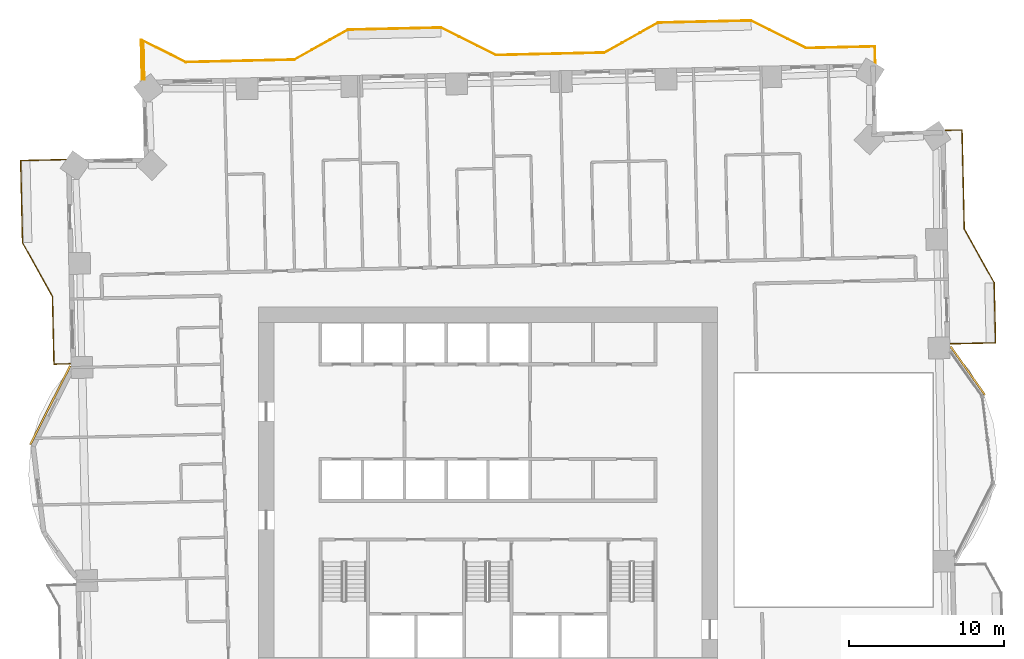
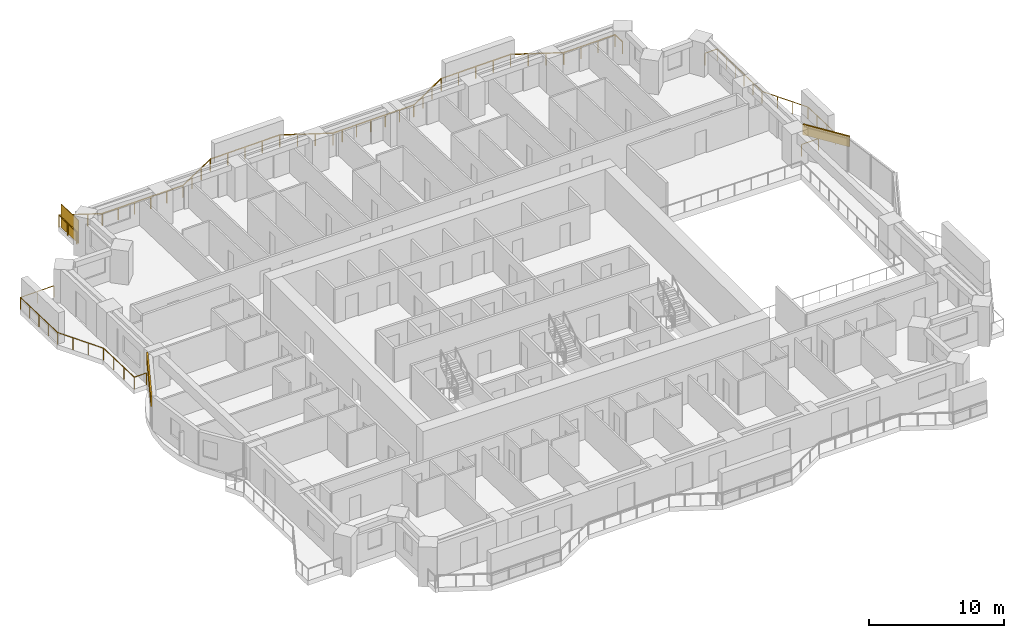
# One storey, part 17 of 17: 3 railings, 2 coverings, 1 shading device.
"""IFC4 building model written with IfcOpenShell, lengths in metres."""

from ifc_helpers import new_model, si_unit, direction, frame, frame_2d, origin, origin_2d, place, context, subcontext, project, spatial, rectangle, extrude, material, layer, layer_set, type_object, element, save


model = new_model("IFC4")

# Units and contexts
model_context = context("Model", 3, precision=1e-05, world=origin(), true_north=direction((0.0, 1.0)))
body_context = subcontext(model_context, "Body", "Model", "MODEL_VIEW")
ifc_project = project(units=[si_unit("LENGTHUNIT", "METRE"), si_unit("AREAUNIT", "SQUARE_METRE"), si_unit("VOLUMEUNIT", "CUBIC_METRE"), si_unit("PLANEANGLEUNIT", "RADIAN"), si_unit("MASSUNIT", "GRAM", prefix="KILO")], contexts=[model_context])

# Site, building, storey
site_placement = place(None, origin())
site = spatial("IfcSite", under=ifc_project, at=site_placement, CompositionType="ELEMENT")
building_placement = place(site_placement, origin())
building = spatial("IfcBuilding", under=site, at=building_placement, Name="Mangrove Gate Tower", CompositionType="ELEMENT")
storey_placement = place(building_placement, frame((0.0, 0.0, 93.699951171875)))
storey = spatial("IfcBuildingStorey", under=building, at=storey_placement, Name="L23", CompositionType="ELEMENT", Elevation=93.699951171875)

# Railings
ifc_material_1 = material(Name="Stainless steel grade 316 with laminated glass infill", Category="steel")
railing_type = type_object("IfcRailingType", Name="Balcony guard 1100", PredefinedType="GUARDRAIL", material=ifc_material_1)
railing_1_placement = place(storey_placement, frame((29.806884765625, 9.4169921875, 0.0)))
element("IfcRailing", 1, at=railing_1_placement, inside=storey, type_object=railing_type, Name="GUARD L23 E2", PredefinedType="GUARDRAIL", context=body_context, shape_type="SweptSolid", body=[
    extrude(rectangle(XDim=0.048095703125, YDim=0.048095703125, at=origin_2d()), frame((0.0, 0.0, 1.076171875), z_axis=(0.999743392495, 0.022652795902, 0.0), x_axis=(-0.022652795902, 0.999743392495, 0.0)), (0.0, 0.0, 1.0), 2.909912109375),
    extrude(rectangle(XDim=0.048095703125, YDim=0.048095703125, at=origin_2d()), frame((2.9091796875, 0.06591796875, 1.076171875), z_axis=(-0.022744303924, 0.999741314861, 0.0), x_axis=(-0.999741314861, -0.022744303924, 0.0)), (0.0, 0.0, 1.0), 3.875),
    extrude(rectangle(XDim=0.048095703125, YDim=0.048095703125, at=origin_2d()), frame((2.821044921875, 3.93994140625, 1.076171875), z_axis=(-0.48726008209, 0.87325689943, 0.0), x_axis=(-0.87325689943, -0.48726008209, 0.0)), (0.0, 0.0, 1.0), 3.958740234375),
    extrude(rectangle(XDim=0.048095703125, YDim=0.048095703125, at=origin_2d()), frame((0.89208984375, 7.39697265625, 1.076171875), z_axis=(-0.022660744415, 0.999743212361, 0.0), x_axis=(-0.999743212361, -0.022660744415, 0.0)), (0.0, 0.0, 1.0), 6.399658203125),
    extrude(rectangle(XDim=0.048095703125, YDim=0.048095703125, at=origin_2d()), frame((0.7470703125, 13.794921875, 1.076171875), z_axis=(-0.999744802133, -0.022590498181, 0.0), x_axis=(0.022590498181, -0.999744802133, 0.0)), (0.0, 0.0, 1.0), 1.05908203125),
    extrude(rectangle(XDim=0.0419921875, YDim=0.0419921875, at=origin_2d()), origin(), (0.0, 0.0, 1.0), 1.052001953125),
    extrude(rectangle(XDim=0.0419921875, YDim=0.0419921875, at=origin_2d()), frame((1.45458984375, 0.032958984375, 0.0)), (0.0, 0.0, 1.0), 1.052001953125),
    extrude(rectangle(XDim=0.0419921875, YDim=0.0419921875, at=origin_2d()), frame((2.9091796875, 0.06591796875, 0.0)), (0.0, 0.0, 1.0), 1.052001953125),
    extrude(rectangle(XDim=0.0419921875, YDim=0.0419921875, at=origin_2d()), frame((2.8798828125, 1.357177734375, 0.0)), (0.0, 0.0, 1.0), 1.052001953125),
    extrude(rectangle(XDim=0.0419921875, YDim=0.0419921875, at=origin_2d()), frame((2.850341796875, 2.648681640625, 0.0)), (0.0, 0.0, 1.0), 1.052001953125),
    extrude(rectangle(XDim=0.0419921875, YDim=0.0419921875, at=origin_2d()), frame((2.821044921875, 3.93994140625, 0.0)), (0.0, 0.0, 1.0), 1.052001953125),
    extrude(rectangle(XDim=0.0419921875, YDim=0.0419921875, at=origin_2d()), frame((2.177978515625, 5.09228515625, 0.0)), (0.0, 0.0, 1.0), 1.052001953125),
    extrude(rectangle(XDim=0.0419921875, YDim=0.0419921875, at=origin_2d()), frame((1.53515625, 6.24462890625, 0.0)), (0.0, 0.0, 1.0), 1.052001953125),
    extrude(rectangle(XDim=0.0419921875, YDim=0.0419921875, at=origin_2d()), frame((0.89208984375, 7.39697265625, 0.0)), (0.0, 0.0, 1.0), 1.052001953125),
    extrude(rectangle(XDim=0.0419921875, YDim=0.0419921875, at=origin_2d()), frame((0.863037109375, 8.676513671875, 0.0)), (0.0, 0.0, 1.0), 1.052001953125),
    extrude(rectangle(XDim=0.0419921875, YDim=0.0419921875, at=origin_2d()), frame((0.833984375, 9.9560546875, 0.0)), (0.0, 0.0, 1.0), 1.052001953125),
    extrude(rectangle(XDim=0.0419921875, YDim=0.0419921875, at=origin_2d()), frame((0.80517578125, 11.23583984375, 0.0)), (0.0, 0.0, 1.0), 1.052001953125),
    extrude(rectangle(XDim=0.0419921875, YDim=0.0419921875, at=origin_2d()), frame((0.776123046875, 12.515380859375, 0.0)), (0.0, 0.0, 1.0), 1.052001953125),
    extrude(rectangle(XDim=0.0419921875, YDim=0.0419921875, at=origin_2d()), frame((0.7470703125, 13.794921875, 0.0)), (0.0, 0.0, 1.0), 1.052001953125),
    extrude(rectangle(XDim=0.0419921875, YDim=0.0419921875, at=origin_2d()), frame((-0.311767578125, 13.77099609375, 0.0)), (0.0, 0.0, 1.0), 1.052001953125),
])
railing_2_placement = place(storey_placement, frame((24.955078125, 27.527099609375, 0.0)))
element("IfcRailing", 2, at=railing_2_placement, inside=storey, type_object=railing_type, Name="GUARD L23 N1", PredefinedType="GUARDRAIL", context=body_context, shape_type="SweptSolid", body=[
    extrude(rectangle(XDim=0.048095703125, YDim=0.048095703125, at=origin_2d()), frame((0.0, 0.0, 1.076171875), z_axis=(-0.022820894023, 0.999739569486, 0.0), x_axis=(-0.999739569486, -0.022820894023, 0.0)), (0.0, 0.0, 1.0), 1.05908203125),
    extrude(rectangle(XDim=0.048095703125, YDim=0.048095703125, at=origin_2d()), frame((-0.024169921875, 1.058837890625, 1.076171875), z_axis=(-0.999746615103, -0.02251012197, 0.0), x_axis=(0.02251012197, -0.999746615103, 0.0)), (0.0, 0.0, 1.0), 4.43603515625),
    extrude(rectangle(XDim=0.048095703125, YDim=0.048095703125, at=origin_2d()), frame((-4.458984375, 0.958984375, 1.076171875), z_axis=(-0.894476522376, 0.447114919141, 0.0), x_axis=(-0.447114919141, -0.894476522376, 0.0)), (0.0, 0.0, 1.0), 3.958740234375),
    extrude(rectangle(XDim=0.048095703125, YDim=0.048095703125, at=origin_2d()), frame((-8.0, 2.72900390625, 1.076171875), z_axis=(-0.999743094499, -0.022665943652, 0.0), x_axis=(0.022665943652, -0.999743094499, 0.0)), (0.0, 0.0, 1.0), 5.99951171875),
    extrude(rectangle(XDim=0.048095703125, YDim=0.048095703125, at=origin_2d()), frame((-13.998046875, 2.593017578125, 1.076171875), z_axis=(-0.873289216505, -0.487202159618, 0.0), x_axis=(0.487202159618, -0.873289216505, 0.0)), (0.0, 0.0, 1.0), 3.959716796875),
    extrude(rectangle(XDim=0.048095703125, YDim=0.048095703125, at=origin_2d()), frame((-17.4560546875, 0.663818359375, 1.076171875), z_axis=(-0.999741815214, -0.022722299893, 0.0), x_axis=(0.022722299893, -0.999741815214, 0.0)), (0.0, 0.0, 1.0), 6.19970703125),
    extrude(rectangle(XDim=0.048095703125, YDim=0.048095703125, at=origin_2d()), frame((-23.654052734375, 0.52294921875, 1.076171875), z_axis=(-0.999745132473, -0.022575874215, 0.0), x_axis=(0.022575874215, -0.999745132473, 0.0)), (0.0, 0.0, 1.0), 0.80029296875),
    extrude(rectangle(XDim=0.048095703125, YDim=0.048095703125, at=origin_2d()), frame((-24.4541015625, 0.5048828125, 1.076171875), z_axis=(-0.894476522376, 0.447114919141, 0.0), x_axis=(-0.447114919141, -0.894476522376, 0.0)), (0.0, 0.0, 1.0), 3.958740234375),
    extrude(rectangle(XDim=0.048095703125, YDim=0.048095703125, at=origin_2d()), frame((-27.9951171875, 2.27490234375, 1.076171875), z_axis=(-0.999743094499, -0.022665943652, 0.0), x_axis=(0.022665943652, -0.999743094499, 0.0)), (0.0, 0.0, 1.0), 5.99951171875),
    extrude(rectangle(XDim=0.048095703125, YDim=0.048095703125, at=origin_2d()), frame((-33.9931640625, 2.138916015625, 1.076171875), z_axis=(-0.87325689943, -0.48726008209, 0.0), x_axis=(0.48726008209, -0.87325689943, 0.0)), (0.0, 0.0, 1.0), 3.958740234375),
    extrude(rectangle(XDim=0.048095703125, YDim=0.048095703125, at=origin_2d()), frame((-37.4501953125, 0.2099609375, 1.076171875), z_axis=(-0.999741457317, -0.022738041308, 0.0), x_axis=(0.022738041308, -0.999741457317, 0.0)), (0.0, 0.0, 1.0), 7.00048828125),
    extrude(rectangle(XDim=0.048095703125, YDim=0.048095703125, at=origin_2d()), frame((-44.448974609375, 0.05078125, 1.076171875), z_axis=(-0.89448807366, 0.447091809452, 0.0), x_axis=(-0.447091809452, -0.89448807366, 0.0)), (0.0, 0.0, 1.0), 3.20751953125),
    extrude(rectangle(XDim=0.048095703125, YDim=0.048095703125, at=origin_2d()), frame((-47.318115234375, 1.48486328125, 1.076171875), z_axis=(0.022710567478, -0.999742081802, 0.0), x_axis=(0.999742081802, 0.022710567478, 0.0)), (0.0, 0.0, 1.0), 2.55859375),
    extrude(rectangle(XDim=0.0419921875, YDim=0.0419921875, at=origin_2d()), origin(), (0.0, 0.0, 1.0), 1.052001953125),
    extrude(rectangle(XDim=0.0419921875, YDim=0.0419921875, at=origin_2d()), frame((-0.024169921875, 1.058837890625, 0.0)), (0.0, 0.0, 1.0), 1.052001953125),
    extrude(rectangle(XDim=0.0419921875, YDim=0.0419921875, at=origin_2d()), frame((-1.50244140625, 1.025634765625, 0.0)), (0.0, 0.0, 1.0), 1.052001953125),
    extrude(rectangle(XDim=0.0419921875, YDim=0.0419921875, at=origin_2d()), frame((-2.980712890625, 0.9921875, 0.0)), (0.0, 0.0, 1.0), 1.052001953125),
    extrude(rectangle(XDim=0.0419921875, YDim=0.0419921875, at=origin_2d()), frame((-4.458984375, 0.958984375, 0.0)), (0.0, 0.0, 1.0), 1.052001953125),
    extrude(rectangle(XDim=0.0419921875, YDim=0.0419921875, at=origin_2d()), frame((-5.639404296875, 1.549072265625, 0.0)), (0.0, 0.0, 1.0), 1.052001953125),
    extrude(rectangle(XDim=0.0419921875, YDim=0.0419921875, at=origin_2d()), frame((-6.819580078125, 2.138916015625, 0.0)), (0.0, 0.0, 1.0), 1.052001953125),
    extrude(rectangle(XDim=0.0419921875, YDim=0.0419921875, at=origin_2d()), frame((-8.0, 2.72900390625, 0.0)), (0.0, 0.0, 1.0), 1.052001953125),
    extrude(rectangle(XDim=0.0419921875, YDim=0.0419921875, at=origin_2d()), frame((-9.49951171875, 2.695068359375, 0.0)), (0.0, 0.0, 1.0), 1.052001953125),
    extrude(rectangle(XDim=0.0419921875, YDim=0.0419921875, at=origin_2d()), frame((-10.9990234375, 2.6611328125, 0.0)), (0.0, 0.0, 1.0), 1.052001953125),
    extrude(rectangle(XDim=0.0419921875, YDim=0.0419921875, at=origin_2d()), frame((-12.49853515625, 2.626953125, 0.0)), (0.0, 0.0, 1.0), 1.052001953125),
    extrude(rectangle(XDim=0.0419921875, YDim=0.0419921875, at=origin_2d()), frame((-13.998046875, 2.593017578125, 0.0)), (0.0, 0.0, 1.0), 1.052001953125),
    extrude(rectangle(XDim=0.0419921875, YDim=0.0419921875, at=origin_2d()), frame((-15.150634765625, 1.949951171875, 0.0)), (0.0, 0.0, 1.0), 1.052001953125),
    extrude(rectangle(XDim=0.0419921875, YDim=0.0419921875, at=origin_2d()), frame((-16.303466796875, 1.306884765625, 0.0)), (0.0, 0.0, 1.0), 1.052001953125),
    extrude(rectangle(XDim=0.0419921875, YDim=0.0419921875, at=origin_2d()), frame((-17.4560546875, 0.663818359375, 0.0)), (0.0, 0.0, 1.0), 1.052001953125),
    extrude(rectangle(XDim=0.0419921875, YDim=0.0419921875, at=origin_2d()), frame((-18.695556640625, 0.6357421875, 0.0)), (0.0, 0.0, 1.0), 1.052001953125),
    extrude(rectangle(XDim=0.0419921875, YDim=0.0419921875, at=origin_2d()), frame((-19.935302734375, 0.607421875, 0.0)), (0.0, 0.0, 1.0), 1.052001953125),
    extrude(rectangle(XDim=0.0419921875, YDim=0.0419921875, at=origin_2d()), frame((-21.1748046875, 0.579345703125, 0.0)), (0.0, 0.0, 1.0), 1.052001953125),
    extrude(rectangle(XDim=0.0419921875, YDim=0.0419921875, at=origin_2d()), frame((-22.41455078125, 0.551025390625, 0.0)), (0.0, 0.0, 1.0), 1.052001953125),
    extrude(rectangle(XDim=0.0419921875, YDim=0.0419921875, at=origin_2d()), frame((-23.654052734375, 0.52294921875, 0.0)), (0.0, 0.0, 1.0), 1.052001953125),
    extrude(rectangle(XDim=0.0419921875, YDim=0.0419921875, at=origin_2d()), frame((-24.4541015625, 0.5048828125, 0.0)), (0.0, 0.0, 1.0), 1.052001953125),
    extrude(rectangle(XDim=0.0419921875, YDim=0.0419921875, at=origin_2d()), frame((-25.634521484375, 1.094970703125, 0.0)), (0.0, 0.0, 1.0), 1.052001953125),
    extrude(rectangle(XDim=0.0419921875, YDim=0.0419921875, at=origin_2d()), frame((-26.814697265625, 1.684814453125, 0.0)), (0.0, 0.0, 1.0), 1.052001953125),
    extrude(rectangle(XDim=0.0419921875, YDim=0.0419921875, at=origin_2d()), frame((-27.9951171875, 2.27490234375, 0.0)), (0.0, 0.0, 1.0), 1.052001953125),
    extrude(rectangle(XDim=0.0419921875, YDim=0.0419921875, at=origin_2d()), frame((-29.49462890625, 2.240966796875, 0.0)), (0.0, 0.0, 1.0), 1.052001953125),
    extrude(rectangle(XDim=0.0419921875, YDim=0.0419921875, at=origin_2d()), frame((-30.994140625, 2.20703125, 0.0)), (0.0, 0.0, 1.0), 1.052001953125),
    extrude(rectangle(XDim=0.0419921875, YDim=0.0419921875, at=origin_2d()), frame((-32.49365234375, 2.1728515625, 0.0)), (0.0, 0.0, 1.0), 1.052001953125),
    extrude(rectangle(XDim=0.0419921875, YDim=0.0419921875, at=origin_2d()), frame((-33.9931640625, 2.138916015625, 0.0)), (0.0, 0.0, 1.0), 1.052001953125),
    extrude(rectangle(XDim=0.0419921875, YDim=0.0419921875, at=origin_2d()), frame((-35.1455078125, 1.495849609375, 0.0)), (0.0, 0.0, 1.0), 1.052001953125),
    extrude(rectangle(XDim=0.0419921875, YDim=0.0419921875, at=origin_2d()), frame((-36.2978515625, 0.85302734375, 0.0)), (0.0, 0.0, 1.0), 1.052001953125),
    extrude(rectangle(XDim=0.0419921875, YDim=0.0419921875, at=origin_2d()), frame((-37.4501953125, 0.2099609375, 0.0)), (0.0, 0.0, 1.0), 1.052001953125),
    extrude(rectangle(XDim=0.0419921875, YDim=0.0419921875, at=origin_2d()), frame((-38.849853515625, 0.17822265625, 0.0)), (0.0, 0.0, 1.0), 1.052001953125),
    extrude(rectangle(XDim=0.0419921875, YDim=0.0419921875, at=origin_2d()), frame((-40.249755859375, 0.146240234375, 0.0)), (0.0, 0.0, 1.0), 1.052001953125),
    extrude(rectangle(XDim=0.0419921875, YDim=0.0419921875, at=origin_2d()), frame((-41.6494140625, 0.114501953125, 0.0)), (0.0, 0.0, 1.0), 1.052001953125),
    extrude(rectangle(XDim=0.0419921875, YDim=0.0419921875, at=origin_2d()), frame((-43.04931640625, 0.08251953125, 0.0)), (0.0, 0.0, 1.0), 1.052001953125),
    extrude(rectangle(XDim=0.0419921875, YDim=0.0419921875, at=origin_2d()), frame((-44.448974609375, 0.05078125, 0.0)), (0.0, 0.0, 1.0), 1.052001953125),
    extrude(rectangle(XDim=0.0419921875, YDim=0.0419921875, at=origin_2d()), frame((-45.4052734375, 0.52880859375, 0.0)), (0.0, 0.0, 1.0), 1.052001953125),
    extrude(rectangle(XDim=0.0419921875, YDim=0.0419921875, at=origin_2d()), frame((-46.36181640625, 1.0068359375, 0.0)), (0.0, 0.0, 1.0), 1.052001953125),
    extrude(rectangle(XDim=0.0419921875, YDim=0.0419921875, at=origin_2d()), frame((-47.318115234375, 1.48486328125, 0.0)), (0.0, 0.0, 1.0), 1.052001953125),
    extrude(rectangle(XDim=0.0419921875, YDim=0.0419921875, at=origin_2d()), frame((-47.2890625, 0.2060546875, 0.0)), (0.0, 0.0, 1.0), 1.052001953125),
    extrude(rectangle(XDim=0.0419921875, YDim=0.0419921875, at=origin_2d()), frame((-47.260009765625, -1.072998046875, 0.0)), (0.0, 0.0, 1.0), 1.052001953125),
])
railing_3_placement = place(storey_placement, frame((-27.22900390625, 21.301025390625, 0.0)))
element("IfcRailing", 3, at=railing_3_placement, inside=storey, type_object=railing_type, Name="GUARD L23 W1", PredefinedType="GUARDRAIL", context=body_context, shape_type="SweptSolid", body=[
    extrude(rectangle(XDim=0.048095703125, YDim=0.048095703125, at=origin_2d()), frame((0.0, 0.0, 1.076171875), z_axis=(-0.999743349437, -0.022654696127, 0.0), x_axis=(0.022654696127, -0.999743349437, 0.0)), (0.0, 0.0, 1.0), 2.90966796875),
    extrude(rectangle(XDim=0.048095703125, YDim=0.048095703125, at=origin_2d()), frame((-2.908935546875, -0.06591796875, 1.076171875), z_axis=(0.022615729912, -0.999744231672, 0.0), x_axis=(0.999744231672, 0.022615729912, 0.0)), (0.0, 0.0, 1.0), 5.300537109375),
    extrude(rectangle(XDim=0.048095703125, YDim=0.048095703125, at=origin_2d()), frame((-2.7890625, -5.364990234375, 1.076171875), z_axis=(0.48726008209, -0.87325689943, 0.0), x_axis=(0.87325689943, 0.48726008209, 0.0)), (0.0, 0.0, 1.0), 3.958740234375),
    extrude(rectangle(XDim=0.048095703125, YDim=0.048095703125, at=origin_2d()), frame((-0.860107421875, -8.822021484375, 1.076171875), z_axis=(0.022660548572, -0.9997432168, 0.0), x_axis=(0.9997432168, 0.022660548572, 0.0)), (0.0, 0.0, 1.0), 4.374267578125),
    extrude(rectangle(XDim=0.048095703125, YDim=0.048095703125, at=origin_2d()), frame((-0.760986328125, -13.195068359375, 1.076171875), z_axis=(0.999745389313, 0.022564497502, 0.0), x_axis=(-0.022564497502, 0.999745389313, 0.0)), (0.0, 0.0, 1.0), 1.060302734375),
    extrude(rectangle(XDim=0.0419921875, YDim=0.0419921875, at=origin_2d()), origin(), (0.0, 0.0, 1.0), 1.052001953125),
    extrude(rectangle(XDim=0.0419921875, YDim=0.0419921875, at=origin_2d()), frame((-1.45458984375, -0.032958984375, 0.0)), (0.0, 0.0, 1.0), 1.052001953125),
    extrude(rectangle(XDim=0.0419921875, YDim=0.0419921875, at=origin_2d()), frame((-2.908935546875, -0.06591796875, 0.0)), (0.0, 0.0, 1.0), 1.052001953125),
    extrude(rectangle(XDim=0.0419921875, YDim=0.0419921875, at=origin_2d()), frame((-2.87890625, -1.390625, 0.0)), (0.0, 0.0, 1.0), 1.052001953125),
    extrude(rectangle(XDim=0.0419921875, YDim=0.0419921875, at=origin_2d()), frame((-2.84912109375, -2.71533203125, 0.0)), (0.0, 0.0, 1.0), 1.052001953125),
    extrude(rectangle(XDim=0.0419921875, YDim=0.0419921875, at=origin_2d()), frame((-2.819091796875, -4.040283203125, 0.0)), (0.0, 0.0, 1.0), 1.052001953125),
    extrude(rectangle(XDim=0.0419921875, YDim=0.0419921875, at=origin_2d()), frame((-2.7890625, -5.364990234375, 0.0)), (0.0, 0.0, 1.0), 1.052001953125),
    extrude(rectangle(XDim=0.0419921875, YDim=0.0419921875, at=origin_2d()), frame((-2.14599609375, -6.517333984375, 0.0)), (0.0, 0.0, 1.0), 1.052001953125),
    extrude(rectangle(XDim=0.0419921875, YDim=0.0419921875, at=origin_2d()), frame((-1.503173828125, -7.669677734375, 0.0)), (0.0, 0.0, 1.0), 1.052001953125),
    extrude(rectangle(XDim=0.0419921875, YDim=0.0419921875, at=origin_2d()), frame((-0.860107421875, -8.822021484375, 0.0)), (0.0, 0.0, 1.0), 1.052001953125),
    extrude(rectangle(XDim=0.0419921875, YDim=0.0419921875, at=origin_2d()), frame((-0.8271484375, -10.27978515625, 0.0)), (0.0, 0.0, 1.0), 1.052001953125),
    extrude(rectangle(XDim=0.0419921875, YDim=0.0419921875, at=origin_2d()), frame((-0.7939453125, -11.7373046875, 0.0)), (0.0, 0.0, 1.0), 1.052001953125),
    extrude(rectangle(XDim=0.0419921875, YDim=0.0419921875, at=origin_2d()), frame((-0.760986328125, -13.195068359375, 0.0)), (0.0, 0.0, 1.0), 1.052001953125),
    extrude(rectangle(XDim=0.0419921875, YDim=0.0419921875, at=origin_2d()), frame((0.299072265625, -13.171142578125, 0.0)), (0.0, 0.0, 1.0), 1.052001953125),
])

# Shading device
ifc_material_2 = material(Name="Timber slat screen in teak", Category="wood")
shading_device_type = type_object("IfcShadingDeviceType", Name="Balcony screen 2100", PredefinedType="USERDEFINED", material=ifc_material_2)
shading_device_placement = place(storey_placement, frame((-22.19189453125, 27.656005859375, 0.0), z_axis=(0.0, 0.0, 1.0), x_axis=(-0.022739679942, 0.999741420046, 0.0)))
element("IfcShadingDevice", 4, at=shading_device_placement, inside=storey, type_object=shading_device_type, Name="SCREEN L23 N1", ObjectType="SCREEN", PredefinedType="USERDEFINED", context=body_context, shape_type="SweptSolid", body=[
    extrude(rectangle(XDim=2.43896484375, YDim=0.050048828125, at=origin_2d()), origin(), (0.0, 0.0, 1.0), 2.10009765625),
])

# Coverings
ifc_material_3 = material(Name="Limestone", Category="masonry")
ifc_layer_1 = layer(ifc_material_3, 0.0400390625, Name="Limestone cladding")
ifc_material_4 = material(Name="Stainless steel anchors and cavity", Category="steel")
ifc_layer_2 = layer(ifc_material_4, 0.080078125, Name="Fixing cavity")
ifc_layer_set = layer_set([ifc_layer_1, ifc_layer_2], Name="Joint fascia cladding 120")
covering_type = type_object("IfcCoveringType", Name="Joint fascia cladding 120", PredefinedType="CLADDING", material=ifc_layer_set)
covering_1_placement = place(storey_placement, frame((32.02294921875, 6.131103515625, 2.10009765625), z_axis=(0.0, 0.0, 1.0), x_axis=(-0.578168098379, 0.815917673553, 0.0)))
element("IfcCovering", 5, at=covering_1_placement, inside=storey, type_object=covering_type, Name="STONE FASCIA L23 E1.L2", PredefinedType="CLADDING", context=body_context, shape_type="SweptSolid", body=[
    extrude(rectangle(XDim=3.819091796875, YDim=0.1201171875, at=frame_2d((1.90966796875, 0.0))), origin(), (0.0, 0.0, 1.0), 0.949951171875),
])
covering_2_placement = place(storey_placement, frame((-26.937255859375, 8.00537109375, 2.10009765625), z_axis=(0.0, 0.0, 1.0), x_axis=(-0.452477241859, -0.891775950337, 0.0)))
element("IfcCovering", 6, at=covering_2_placement, inside=storey, type_object=covering_type, Name="STONE FASCIA L23 W9.L1", PredefinedType="CLADDING", context=body_context, shape_type="SweptSolid", body=[
    extrude(rectangle(XDim=5.705810546875, YDim=0.1201171875, at=frame_2d((2.85302734375, 0.0))), origin(), (0.0, 0.0, 1.0), 0.949951171875),
])

save(model, "model.ifc")
